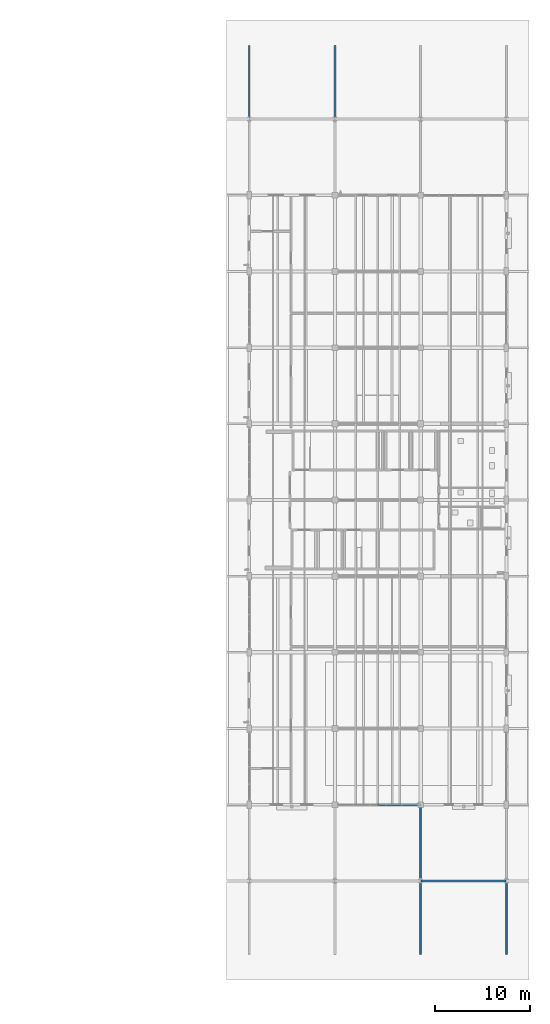
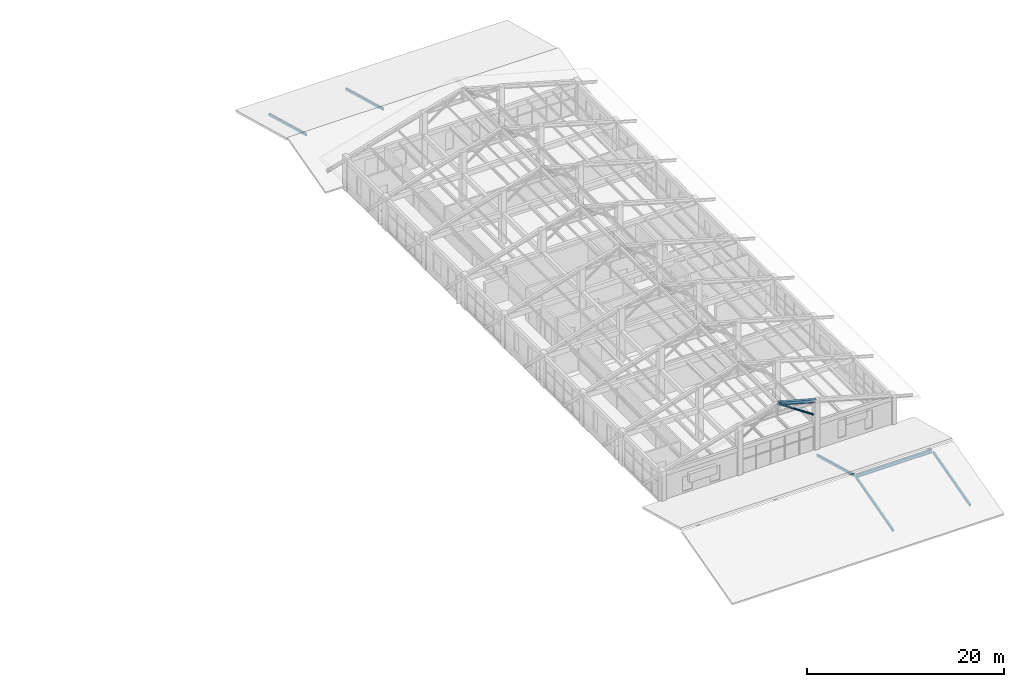
# One storey, part 27 of 58: 6 members, 2 beams.
"""IFC4 building model written with IfcOpenShell, lengths in metres."""

from ifc_helpers import new_model, si_unit, derived_unit, direction, frame, origin, origin_2d, place, context, subcontext, project, spatial, hollow_rectangle, hollow_circle, i_section, extrude, material, material_profile, profile_set, type_object, element, save


model = new_model("IFC4")

# Units and contexts
model_context = context("Model", 3, precision=1e-05, world=origin(), true_north=direction((0.0, 1.0)))
body_context = subcontext(model_context, "Body", "Model", "MODEL_VIEW")
ifc_project = project(units=[si_unit("LENGTHUNIT", "METRE"), si_unit("AREAUNIT", "SQUARE_METRE"), si_unit("VOLUMEUNIT", "CUBIC_METRE"), si_unit("PLANEANGLEUNIT", "RADIAN"), si_unit("MASSUNIT", "GRAM", prefix="KILO"), derived_unit("THERMALTRANSMITTANCEUNIT", [(si_unit("MASSUNIT", "GRAM", prefix="KILO"), 1), (si_unit("TIMEUNIT", "SECOND"), -3), (si_unit("THERMODYNAMICTEMPERATUREUNIT", "KELVIN"), -1)])], contexts=[model_context])

# Site, building, storey
site_placement = place(None, origin())
site = spatial("IfcSite", under=ifc_project, at=site_placement, CompositionType="ELEMENT")
building_placement = place(site_placement, origin())
building = spatial("IfcBuilding", under=site, at=building_placement, Name="Zhenchuan Archway Interchange", CompositionType="ELEMENT")
storey_placement = place(building_placement, frame((0.0, 0.0, 22.800048828125)))
storey = spatial("IfcBuildingStorey", under=building, at=storey_placement, Name="L05", CompositionType="ELEMENT", Elevation=22.800048828125)

# Beams
ifc_material = material(Name="Steel Q355", Category="steel")
ifc_material_profile_1 = material_profile(ifc_material, i_section(OverallWidth=0.199951171875, OverallDepth=0.39990234375, WebThickness=0.008056640625, FlangeThickness=0.012939453125, FilletRadius=0.01611328125, at=origin_2d()), Name="HN 400x200")
ifc_profile_set_1 = profile_set([ifc_material_profile_1], Name="Steel Q355")
beam_type_1 = type_object("IfcBeamType", Name="BM_STL_GABLE_HN400", PredefinedType="BEAM", material=ifc_profile_set_1)
beam_1_placement = place(storey_placement, frame((162.0400390625, 16.0, 1.8798828125), z_axis=(1.0, 0.0, 0.0), x_axis=(0.0, 1.0, 0.0)))
element("IfcBeam", 1, at=beam_1_placement, inside=storey, type_object=beam_type_1, Name="East bar S ridge beam 3", PredefinedType="BEAM", context=body_context, shape_type="SweptSolid", body=[
    extrude(i_section(OverallWidth=0.199951171875, OverallDepth=0.39990234375, WebThickness=0.008056640625, FlangeThickness=0.012939453125, FilletRadius=0.01611328125, at=origin_2d()), origin(), (0.0, 0.0, 1.0), 8.919921875),
])
ifc_material_profile_2 = material_profile(ifc_material, i_section(OverallWidth=0.300048828125, OverallDepth=0.389892578125, WebThickness=0.010009765625, FlangeThickness=0.01611328125, FilletRadius=0.02001953125, at=origin_2d()), Name="HM 390x300")
ifc_profile_set_2 = profile_set([ifc_material_profile_2], Name="Steel Q355")
beam_type_2 = type_object("IfcBeamType", Name="BM_STL_HM390", PredefinedType="BEAM", material=ifc_profile_set_2)
beam_2_placement = place(storey_placement, frame((157.52001953125, 24.0, 7.639892578125), z_axis=(0.964108539649, 0.0, -0.265508425055), x_axis=(0.0, 1.0, 0.0)))
element("IfcBeam", 2, at=beam_2_placement, inside=storey, type_object=beam_type_2, Name="ROOF TRUSS command wing T1 east apex rafter", PredefinedType="BEAM", context=body_context, shape_type="SweptSolid", body=[
    extrude(i_section(OverallWidth=0.300048828125, OverallDepth=0.389892578125, WebThickness=0.010009765625, FlangeThickness=0.01611328125, FilletRadius=0.02001953125, at=origin_2d()), origin(), (0.0, 0.0, 1.0), 4.5947265625),
])

# Members
ifc_material_profile_3 = material_profile(ifc_material, hollow_circle(Radius=0.109619140625, WallThickness=0.008056640625, at=origin_2d()), Name="CHS 219x8")
ifc_profile_set_3 = profile_set([ifc_material_profile_3], Name="Steel Q355")
member_type_1 = type_object("IfcMemberType", Name="MB_CHS219", PredefinedType="BRACE", material=ifc_profile_set_3)
member_placement = place(storey_placement, frame((161.679931640625, 24.0, 4.800048828125), z_axis=(-0.827937334182, 0.0, 0.560820622541), x_axis=(0.0, -1.0, 0.0)))
element("IfcMember", 3, at=member_placement, inside=storey, type_object=member_type_1, Name="ROOF TRUSS command wing T1 east apex diagonal", PredefinedType="BRACE", context=body_context, shape_type="SweptSolid", body=[
    extrude(hollow_circle(Radius=0.109619140625, WallThickness=0.008056640625, at=origin_2d()), origin(), (0.0, 0.0, 1.0), 4.903564453125),
])
ifc_material_profile_4 = material_profile(ifc_material, hollow_rectangle(XDim=0.199951171875, YDim=0.300048828125, WallThickness=0.010009765625, InnerFilletRadius=0.010009765625, OuterFilletRadius=0.02001953125, at=origin_2d()), Name="RHS 300x200x10")
ifc_profile_set_4 = profile_set([ifc_material_profile_4], Name="Steel Q355")
member_type_2 = type_object("IfcMemberType", Name="MB_RHS300", PredefinedType="CHORD", material=ifc_profile_set_4)
for number, where, z_axis, x_axis, name in (
    (4, (162.0, 8.300048828125, -0.179931640625), (0.0, 0.964770361033, 0.263093425368), (-1.0, 0.0, 0.0), "East bar S rafter X162-1"),
    (5, (162.0, 16.219970703125, 1.85986328125), (0.0, 0.964770361033, -0.263093425368), (-1.0, 0.0, 0.0), "East bar S rafter X162-2"),
    (6, (171.0, 8.300048828125, -0.179931640625), (0.0, 0.964770361033, 0.263093425368), (-1.0, 0.0, 0.0), "East bar S rafter X171-1"),
    (7, (144.0, 96.219970703125, 1.85986328125), (0.0, 0.964770361033, -0.263093425368), (-1.0, 0.0, 0.0), "East bar N rafter X144-2"),
    (8, (153.0, 96.219970703125, 1.85986328125), (0.0, 0.964770361033, -0.263093425368), (-1.0, 0.0, 0.0), "East bar N rafter X153-2"),
):
    element("IfcMember", number, at=place(storey_placement, frame(where, z_axis=z_axis, x_axis=x_axis)), inside=storey, type_object=member_type_2, Name=name, PredefinedType="CHORD", context=body_context, shape_type="SweptSolid", body=[
        extrude(hollow_rectangle(XDim=0.199951171875, YDim=0.300048828125, WallThickness=0.010009765625, InnerFilletRadius=0.010009765625, OuterFilletRadius=0.02001953125, at=origin_2d()), origin(), (0.0, 0.0, 1.0), 7.753173828125),
    ])

save(model, "model.ifc")
